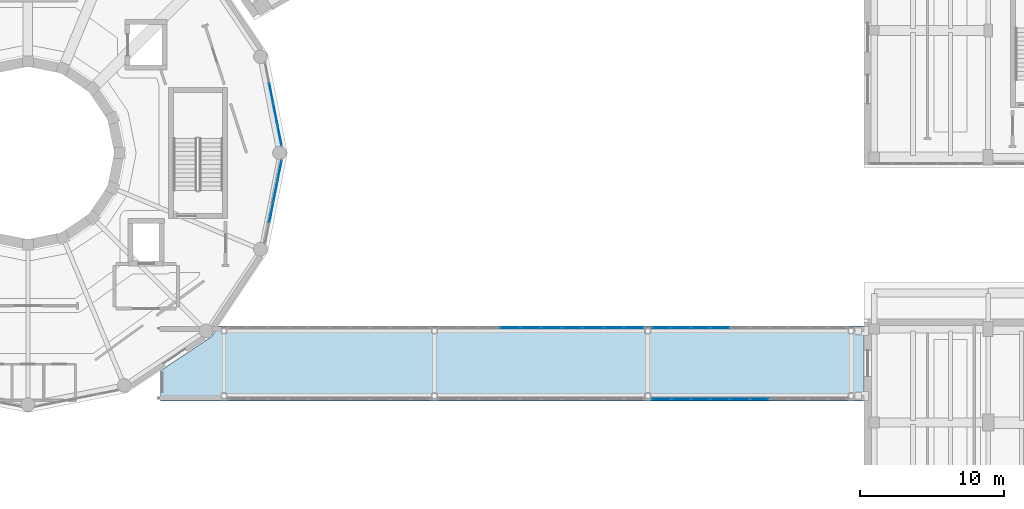
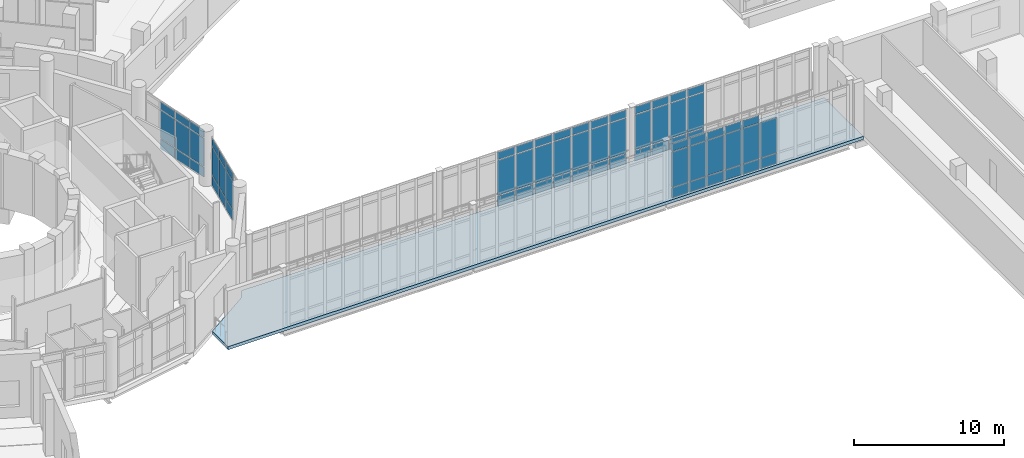
# One storey, part 50 of 89: 68 plates, 1 slab, 5 elements without a shape of their own.
"""IFC4 building model written with IfcOpenShell, lengths in metres."""

from ifc_helpers import new_model, si_unit, direction, frame, origin, origin_2d, place, context, subcontext, project, spatial, polyline, rectangle, outline, extrude, material, layer, layer_set, type_object, element, aggregate, save


model = new_model("IFC4")

# Units and contexts
model_context = context("Model", 3, precision=1e-05, world=origin(), true_north=direction((0.0, 1.0)))
body_context = subcontext(model_context, "Body", "Model", "MODEL_VIEW")
ifc_project = project(units=[si_unit("LENGTHUNIT", "METRE"), si_unit("AREAUNIT", "SQUARE_METRE"), si_unit("VOLUMEUNIT", "CUBIC_METRE"), si_unit("PLANEANGLEUNIT", "RADIAN"), si_unit("MASSUNIT", "GRAM", prefix="KILO")], contexts=[model_context])

# Site, building, storey
site_placement = place(None, origin())
site = spatial("IfcSite", under=ifc_project, at=site_placement, CompositionType="ELEMENT")
building_placement = place(site_placement, origin())
building = spatial("IfcBuilding", under=site, at=building_placement, Name="Soyqirgoq Riverine Aquarium", CompositionType="ELEMENT")
storey_placement = place(building_placement, frame((0.0, 0.0, 5.39990234375)))
storey = spatial("IfcBuildingStorey", under=building, at=storey_placement, Name="L02", CompositionType="ELEMENT", Elevation=5.39990234375)

# Curtain wall, plates
ifc_material_1 = material(Name="Anodised aluminium thermally broken triple low-E glazing", Category="aluminium")
curtain_wall_type_1 = type_object("IfcCurtainWallType", Name="CW_DrumGallery_Unitised", PredefinedType="NOTDEFINED", material=ifc_material_1)
curtain_wall_1_placement = place(storey_placement, origin())
curtain_wall_1 = element("IfcCurtainWall", 1, at=curtain_wall_1_placement, inside=storey, type_object=curtain_wall_type_1, Name="V1 L02 Curtain Wall 002", PredefinedType="NOTDEFINED")
ifc_material_2 = material(Name="Triple insulated laminated low-E glass", Category="glass")
ifc_layer_1 = layer(ifc_material_2, 0.0458984375)
ifc_layer_set_1 = layer_set([ifc_layer_1], Name="Triple insulated laminated low-E glass")
plate_type = type_object("IfcPlateType", Name="CWGlazedPanel_46", PredefinedType="CURTAIN_PANEL", material=ifc_layer_set_1)
plate_1_placement = place(storey_placement, frame((73.45849609375, 58.21435546875, 0.074951171875), z_axis=(0.0, 0.0, 1.0), x_axis=(-0.195088165618, 0.980785709335, 0.0)))
plate_1 = element("IfcPlate", 2, at=plate_1_placement, type_object=plate_type, Name="CW-01 panel 1.1", PredefinedType="CURTAIN_PANEL", context=body_context, shape_type="SweptSolid", body=[
    extrude(rectangle(XDim=1.389892578125, YDim=0.0458984375, at=origin_2d()), origin(), (0.0, 0.0, 1.0), 0.78759765625),
])
plate_2_placement = place(storey_placement, frame((73.45849609375, 58.21435546875, 0.937744140625), z_axis=(0.0, 0.0, 1.0), x_axis=(-0.195088165618, 0.980785709335, 0.0)))
plate_2 = element("IfcPlate", 3, at=plate_2_placement, type_object=plate_type, Name="CW-01 panel 1.2", PredefinedType="CURTAIN_PANEL", context=body_context, shape_type="SweptSolid", body=[
    extrude(rectangle(XDim=1.389892578125, YDim=0.0458984375, at=origin_2d()), origin(), (0.0, 0.0, 1.0), 2.27490234375),
])
plate_3_placement = place(storey_placement, frame((73.45849609375, 58.21435546875, 3.28759765625), z_axis=(0.0, 0.0, 1.0), x_axis=(-0.195088165618, 0.980785709335, 0.0)))
plate_3 = element("IfcPlate", 4, at=plate_3_placement, type_object=plate_type, Name="CW-01 panel 1.3", PredefinedType="CURTAIN_PANEL", context=body_context, shape_type="SweptSolid", body=[
    extrude(rectangle(XDim=1.389892578125, YDim=0.0458984375, at=origin_2d()), origin(), (0.0, 0.0, 1.0), 0.58740234375),
])
plate_4_placement = place(storey_placement, frame((73.17138671875, 59.6572265625, 0.074951171875), z_axis=(0.0, 0.0, 1.0), x_axis=(-0.195088165618, 0.980785709335, 0.0)))
plate_4 = element("IfcPlate", 5, at=plate_4_placement, type_object=plate_type, Name="CW-01 panel 2.1", PredefinedType="CURTAIN_PANEL", context=body_context, shape_type="SweptSolid", body=[
    extrude(rectangle(XDim=1.42236328125, YDim=0.0458984375, at=origin_2d()), origin(), (0.0, 0.0, 1.0), 0.78759765625),
])
plate_5_placement = place(storey_placement, frame((73.17138671875, 59.6572265625, 0.937744140625), z_axis=(0.0, 0.0, 1.0), x_axis=(-0.195088165618, 0.980785709335, 0.0)))
plate_5 = element("IfcPlate", 6, at=plate_5_placement, type_object=plate_type, Name="CW-01 panel 2.2", PredefinedType="CURTAIN_PANEL", context=body_context, shape_type="SweptSolid", body=[
    extrude(rectangle(XDim=1.42236328125, YDim=0.0458984375, at=origin_2d()), origin(), (0.0, 0.0, 1.0), 2.27490234375),
])
plate_6_placement = place(storey_placement, frame((73.17138671875, 59.6572265625, 3.28759765625), z_axis=(0.0, 0.0, 1.0), x_axis=(-0.195088165618, 0.980785709335, 0.0)))
plate_6 = element("IfcPlate", 7, at=plate_6_placement, type_object=plate_type, Name="CW-01 panel 2.3", PredefinedType="CURTAIN_PANEL", context=body_context, shape_type="SweptSolid", body=[
    extrude(rectangle(XDim=1.42236328125, YDim=0.0458984375, at=origin_2d()), origin(), (0.0, 0.0, 1.0), 0.58740234375),
])
plate_7_placement = place(storey_placement, frame((72.88134765625, 61.1162109375, 0.074951171875), z_axis=(0.0, 0.0, 1.0), x_axis=(-0.195088165618, 0.980785709335, 0.0)))
plate_7 = element("IfcPlate", 8, at=plate_7_placement, type_object=plate_type, Name="CW-01 panel 3.1", PredefinedType="CURTAIN_PANEL", context=body_context, shape_type="SweptSolid", body=[
    extrude(rectangle(XDim=1.42236328125, YDim=0.0458984375, at=origin_2d()), origin(), (0.0, 0.0, 1.0), 0.78759765625),
])
plate_8_placement = place(storey_placement, frame((72.88134765625, 61.1162109375, 0.937744140625), z_axis=(0.0, 0.0, 1.0), x_axis=(-0.195088165618, 0.980785709335, 0.0)))
plate_8 = element("IfcPlate", 9, at=plate_8_placement, type_object=plate_type, Name="CW-01 panel 3.2", PredefinedType="CURTAIN_PANEL", context=body_context, shape_type="SweptSolid", body=[
    extrude(rectangle(XDim=1.42236328125, YDim=0.0458984375, at=origin_2d()), origin(), (0.0, 0.0, 1.0), 2.27490234375),
])
plate_9_placement = place(storey_placement, frame((72.88134765625, 61.1162109375, 3.28759765625), z_axis=(0.0, 0.0, 1.0), x_axis=(-0.195088165618, 0.980785709335, 0.0)))
plate_9 = element("IfcPlate", 10, at=plate_9_placement, type_object=plate_type, Name="CW-01 panel 3.3", PredefinedType="CURTAIN_PANEL", context=body_context, shape_type="SweptSolid", body=[
    extrude(rectangle(XDim=1.42236328125, YDim=0.0458984375, at=origin_2d()), origin(), (0.0, 0.0, 1.0), 0.58740234375),
])
aggregate(curtain_wall_1, [plate_1, plate_2, plate_3, plate_4, plate_5, plate_6, plate_7, plate_8, plate_9])

curtain_wall_2_placement = place(storey_placement, origin())
curtain_wall_2 = element("IfcCurtainWall", 11, at=curtain_wall_2_placement, inside=storey, type_object=curtain_wall_type_1, Name="V1 L02 Curtain Wall 073", PredefinedType="NOTDEFINED")
plate_10_placement = place(storey_placement, frame((72.88134765625, 52.8837890625, 0.074951171875), z_axis=(0.0, 0.0, 1.0), x_axis=(0.195088165618, 0.980785709335, 0.0)))
plate_10 = element("IfcPlate", 12, at=plate_10_placement, type_object=plate_type, Name="CW-01 panel 2.1", PredefinedType="CURTAIN_PANEL", context=body_context, shape_type="SweptSolid", body=[
    extrude(rectangle(XDim=1.42236328125, YDim=0.0458984375, at=origin_2d()), origin(), (0.0, 0.0, 1.0), 0.78759765625),
])
plate_11_placement = place(storey_placement, frame((72.88134765625, 52.8837890625, 0.937744140625), z_axis=(0.0, 0.0, 1.0), x_axis=(0.195088165618, 0.980785709335, 0.0)))
plate_11 = element("IfcPlate", 13, at=plate_11_placement, type_object=plate_type, Name="CW-01 panel 2.2", PredefinedType="CURTAIN_PANEL", context=body_context, shape_type="SweptSolid", body=[
    extrude(rectangle(XDim=1.42236328125, YDim=0.0458984375, at=origin_2d()), origin(), (0.0, 0.0, 1.0), 2.27490234375),
])
plate_12_placement = place(storey_placement, frame((72.88134765625, 52.8837890625, 3.28759765625), z_axis=(0.0, 0.0, 1.0), x_axis=(0.195088165618, 0.980785709335, 0.0)))
plate_12 = element("IfcPlate", 14, at=plate_12_placement, type_object=plate_type, Name="CW-01 panel 2.3", PredefinedType="CURTAIN_PANEL", context=body_context, shape_type="SweptSolid", body=[
    extrude(rectangle(XDim=1.42236328125, YDim=0.0458984375, at=origin_2d()), origin(), (0.0, 0.0, 1.0), 0.58740234375),
])
plate_13_placement = place(storey_placement, frame((73.17138671875, 54.3427734375, 0.074951171875), z_axis=(0.0, 0.0, 1.0), x_axis=(0.195088165618, 0.980785709335, 0.0)))
plate_13 = element("IfcPlate", 15, at=plate_13_placement, type_object=plate_type, Name="CW-01 panel 3.1", PredefinedType="CURTAIN_PANEL", context=body_context, shape_type="SweptSolid", body=[
    extrude(rectangle(XDim=1.42236328125, YDim=0.0458984375, at=origin_2d()), origin(), (0.0, 0.0, 1.0), 0.78759765625),
])
plate_14_placement = place(storey_placement, frame((73.17138671875, 54.3427734375, 0.937744140625), z_axis=(0.0, 0.0, 1.0), x_axis=(0.195088165618, 0.980785709335, 0.0)))
plate_14 = element("IfcPlate", 16, at=plate_14_placement, type_object=plate_type, Name="CW-01 panel 3.2", PredefinedType="CURTAIN_PANEL", context=body_context, shape_type="SweptSolid", body=[
    extrude(rectangle(XDim=1.42236328125, YDim=0.0458984375, at=origin_2d()), origin(), (0.0, 0.0, 1.0), 2.27490234375),
])
plate_15_placement = place(storey_placement, frame((73.17138671875, 54.3427734375, 3.28759765625), z_axis=(0.0, 0.0, 1.0), x_axis=(0.195088165618, 0.980785709335, 0.0)))
plate_15 = element("IfcPlate", 17, at=plate_15_placement, type_object=plate_type, Name="CW-01 panel 3.3", PredefinedType="CURTAIN_PANEL", context=body_context, shape_type="SweptSolid", body=[
    extrude(rectangle(XDim=1.42236328125, YDim=0.0458984375, at=origin_2d()), origin(), (0.0, 0.0, 1.0), 0.58740234375),
])
plate_16_placement = place(storey_placement, frame((73.45849609375, 55.78564453125, 0.074951171875), z_axis=(0.0, 0.0, 1.0), x_axis=(0.195088165618, 0.980785709335, 0.0)))
plate_16 = element("IfcPlate", 18, at=plate_16_placement, type_object=plate_type, Name="CW-01 panel 4.1", PredefinedType="CURTAIN_PANEL", context=body_context, shape_type="SweptSolid", body=[
    extrude(rectangle(XDim=1.389892578125, YDim=0.0458984375, at=origin_2d()), origin(), (0.0, 0.0, 1.0), 0.78759765625),
])
plate_17_placement = place(storey_placement, frame((73.45849609375, 55.78564453125, 0.937744140625), z_axis=(0.0, 0.0, 1.0), x_axis=(0.195088165618, 0.980785709335, 0.0)))
plate_17 = element("IfcPlate", 19, at=plate_17_placement, type_object=plate_type, Name="CW-01 panel 4.2", PredefinedType="CURTAIN_PANEL", context=body_context, shape_type="SweptSolid", body=[
    extrude(rectangle(XDim=1.389892578125, YDim=0.0458984375, at=origin_2d()), origin(), (0.0, 0.0, 1.0), 2.27490234375),
])
plate_18_placement = place(storey_placement, frame((73.45849609375, 55.78564453125, 3.28759765625), z_axis=(0.0, 0.0, 1.0), x_axis=(0.195088165618, 0.980785709335, 0.0)))
plate_18 = element("IfcPlate", 20, at=plate_18_placement, type_object=plate_type, Name="CW-01 panel 4.3", PredefinedType="CURTAIN_PANEL", context=body_context, shape_type="SweptSolid", body=[
    extrude(rectangle(XDim=1.389892578125, YDim=0.0458984375, at=origin_2d()), origin(), (0.0, 0.0, 1.0), 0.58740234375),
])
aggregate(curtain_wall_2, [plate_10, plate_11, plate_12, plate_13, plate_14, plate_15, plate_16, plate_17, plate_18])

ifc_material_3 = material(Name="Laminated solar-control bridge curtain wall", Category="aluminium")
curtain_wall_type_2 = type_object("IfcCurtainWallType", Name="CW_Bridge_Concourse", PredefinedType="NOTDEFINED", material=ifc_material_3)
curtain_wall_3_placement = place(storey_placement, origin())
curtain_wall_3 = element("IfcCurtainWall", 21, at=curtain_wall_3_placement, inside=storey, type_object=curtain_wall_type_2, Name="BR-1 L02 Curtain Wall 137", PredefinedType="NOTDEFINED")
plate_19_placement = place(storey_placement, frame((99.94091796875, 39.919921875, 0.074951171875), z_axis=(0.0, 0.0, 1.0), x_axis=(1.0, 0.0, 0.0)))
plate_19 = element("IfcPlate", 22, at=plate_19_placement, type_object=plate_type, Name="CW-06 panel 1.1", PredefinedType="CURTAIN_PANEL", context=body_context, shape_type="SweptSolid", body=[
    extrude(rectangle(XDim=1.241943359375, YDim=0.0458984375, at=origin_2d()), origin(), (0.0, 0.0, 1.0), 0.78759765625),
])
plate_20_placement = place(storey_placement, frame((99.94091796875, 39.919921875, 0.9375), z_axis=(0.0, 0.0, 1.0), x_axis=(1.0, 0.0, 0.0)))
plate_20 = element("IfcPlate", 23, at=plate_20_placement, type_object=plate_type, Name="CW-06 panel 1.2", PredefinedType="CURTAIN_PANEL", context=body_context, shape_type="SweptSolid", body=[
    extrude(rectangle(XDim=1.241943359375, YDim=0.0458984375, at=origin_2d()), origin(), (0.0, 0.0, 1.0), 2.824951171875),
])
plate_21_placement = place(storey_placement, frame((99.94091796875, 39.919921875, 3.837646484375), z_axis=(0.0, 0.0, 1.0), x_axis=(1.0, 0.0, 0.0)))
plate_21 = element("IfcPlate", 24, at=plate_21_placement, type_object=plate_type, Name="CW-06 panel 1.3", PredefinedType="CURTAIN_PANEL", context=body_context, shape_type="SweptSolid", body=[
    extrude(rectangle(XDim=1.241943359375, YDim=0.0458984375, at=origin_2d()), origin(), (0.0, 0.0, 1.0), 0.58740234375),
])
plate_22_placement = place(storey_placement, frame((101.282958984375, 39.919921875, 0.074951171875), z_axis=(0.0, 0.0, 1.0), x_axis=(1.0, 0.0, 0.0)))
plate_22 = element("IfcPlate", 25, at=plate_22_placement, type_object=plate_type, Name="CW-06 panel 2.1", PredefinedType="CURTAIN_PANEL", context=body_context, shape_type="SweptSolid", body=[
    extrude(rectangle(XDim=1.281982421875, YDim=0.0458984375, at=origin_2d()), origin(), (0.0, 0.0, 1.0), 0.78759765625),
])
plate_23_placement = place(storey_placement, frame((101.282958984375, 39.919921875, 0.9375), z_axis=(0.0, 0.0, 1.0), x_axis=(1.0, 0.0, 0.0)))
plate_23 = element("IfcPlate", 26, at=plate_23_placement, type_object=plate_type, Name="CW-06 panel 2.2", PredefinedType="CURTAIN_PANEL", context=body_context, shape_type="SweptSolid", body=[
    extrude(rectangle(XDim=1.281982421875, YDim=0.0458984375, at=origin_2d()), origin(), (0.0, 0.0, 1.0), 2.824951171875),
])
plate_24_placement = place(storey_placement, frame((101.282958984375, 39.919921875, 3.837646484375), z_axis=(0.0, 0.0, 1.0), x_axis=(1.0, 0.0, 0.0)))
plate_24 = element("IfcPlate", 27, at=plate_24_placement, type_object=plate_type, Name="CW-06 panel 2.3", PredefinedType="CURTAIN_PANEL", context=body_context, shape_type="SweptSolid", body=[
    extrude(rectangle(XDim=1.281982421875, YDim=0.0458984375, at=origin_2d()), origin(), (0.0, 0.0, 1.0), 0.58740234375),
])
plate_25_placement = place(storey_placement, frame((102.64501953125, 39.919921875, 0.074951171875), z_axis=(0.0, 0.0, 1.0), x_axis=(1.0, 0.0, 0.0)))
plate_25 = element("IfcPlate", 28, at=plate_25_placement, type_object=plate_type, Name="CW-06 panel 3.1", PredefinedType="CURTAIN_PANEL", context=body_context, shape_type="SweptSolid", body=[
    extrude(rectangle(XDim=1.281982421875, YDim=0.0458984375, at=origin_2d()), origin(), (0.0, 0.0, 1.0), 0.78759765625),
])
plate_26_placement = place(storey_placement, frame((102.64501953125, 39.919921875, 0.9375), z_axis=(0.0, 0.0, 1.0), x_axis=(1.0, 0.0, 0.0)))
plate_26 = element("IfcPlate", 29, at=plate_26_placement, type_object=plate_type, Name="CW-06 panel 3.2", PredefinedType="CURTAIN_PANEL", context=body_context, shape_type="SweptSolid", body=[
    extrude(rectangle(XDim=1.281982421875, YDim=0.0458984375, at=origin_2d()), origin(), (0.0, 0.0, 1.0), 2.824951171875),
])
plate_27_placement = place(storey_placement, frame((102.64501953125, 39.919921875, 3.837646484375), z_axis=(0.0, 0.0, 1.0), x_axis=(1.0, 0.0, 0.0)))
plate_27 = element("IfcPlate", 30, at=plate_27_placement, type_object=plate_type, Name="CW-06 panel 3.3", PredefinedType="CURTAIN_PANEL", context=body_context, shape_type="SweptSolid", body=[
    extrude(rectangle(XDim=1.281982421875, YDim=0.0458984375, at=origin_2d()), origin(), (0.0, 0.0, 1.0), 0.58740234375),
])
plate_28_placement = place(storey_placement, frame((104.007080078125, 39.919921875, 0.074951171875), z_axis=(0.0, 0.0, 1.0), x_axis=(1.0, 0.0, 0.0)))
plate_28 = element("IfcPlate", 31, at=plate_28_placement, type_object=plate_type, Name="CW-06 panel 4.1", PredefinedType="CURTAIN_PANEL", context=body_context, shape_type="SweptSolid", body=[
    extrude(rectangle(XDim=1.281982421875, YDim=0.0458984375, at=origin_2d()), origin(), (0.0, 0.0, 1.0), 0.78759765625),
])
plate_29_placement = place(storey_placement, frame((104.007080078125, 39.919921875, 0.9375), z_axis=(0.0, 0.0, 1.0), x_axis=(1.0, 0.0, 0.0)))
plate_29 = element("IfcPlate", 32, at=plate_29_placement, type_object=plate_type, Name="CW-06 panel 4.2", PredefinedType="CURTAIN_PANEL", context=body_context, shape_type="SweptSolid", body=[
    extrude(rectangle(XDim=1.281982421875, YDim=0.0458984375, at=origin_2d()), origin(), (0.0, 0.0, 1.0), 2.824951171875),
])
plate_30_placement = place(storey_placement, frame((104.007080078125, 39.919921875, 3.837646484375), z_axis=(0.0, 0.0, 1.0), x_axis=(1.0, 0.0, 0.0)))
plate_30 = element("IfcPlate", 33, at=plate_30_placement, type_object=plate_type, Name="CW-06 panel 4.3", PredefinedType="CURTAIN_PANEL", context=body_context, shape_type="SweptSolid", body=[
    extrude(rectangle(XDim=1.281982421875, YDim=0.0458984375, at=origin_2d()), origin(), (0.0, 0.0, 1.0), 0.58740234375),
])
plate_31_placement = place(storey_placement, frame((105.368896484375, 39.919921875, 0.074951171875), z_axis=(0.0, 0.0, 1.0), x_axis=(1.0, 0.0, 0.0)))
plate_31 = element("IfcPlate", 34, at=plate_31_placement, type_object=plate_type, Name="CW-06 panel 5.1", PredefinedType="CURTAIN_PANEL", context=body_context, shape_type="SweptSolid", body=[
    extrude(rectangle(XDim=1.281982421875, YDim=0.0458984375, at=origin_2d()), origin(), (0.0, 0.0, 1.0), 0.78759765625),
])
plate_32_placement = place(storey_placement, frame((105.368896484375, 39.919921875, 0.9375), z_axis=(0.0, 0.0, 1.0), x_axis=(1.0, 0.0, 0.0)))
plate_32 = element("IfcPlate", 35, at=plate_32_placement, type_object=plate_type, Name="CW-06 panel 5.2", PredefinedType="CURTAIN_PANEL", context=body_context, shape_type="SweptSolid", body=[
    extrude(rectangle(XDim=1.281982421875, YDim=0.0458984375, at=origin_2d()), origin(), (0.0, 0.0, 1.0), 2.824951171875),
])
plate_33_placement = place(storey_placement, frame((105.368896484375, 39.919921875, 3.837646484375), z_axis=(0.0, 0.0, 1.0), x_axis=(1.0, 0.0, 0.0)))
plate_33 = element("IfcPlate", 36, at=plate_33_placement, type_object=plate_type, Name="CW-06 panel 5.3", PredefinedType="CURTAIN_PANEL", context=body_context, shape_type="SweptSolid", body=[
    extrude(rectangle(XDim=1.281982421875, YDim=0.0458984375, at=origin_2d()), origin(), (0.0, 0.0, 1.0), 0.58740234375),
])
plate_34_placement = place(storey_placement, frame((106.73095703125, 39.919921875, 0.074951171875), z_axis=(0.0, 0.0, 1.0), x_axis=(1.0, 0.0, 0.0)))
plate_34 = element("IfcPlate", 37, at=plate_34_placement, type_object=plate_type, Name="CW-06 panel 6.1", PredefinedType="CURTAIN_PANEL", context=body_context, shape_type="SweptSolid", body=[
    extrude(rectangle(XDim=1.281982421875, YDim=0.0458984375, at=origin_2d()), origin(), (0.0, 0.0, 1.0), 0.78759765625),
])
plate_35_placement = place(storey_placement, frame((106.73095703125, 39.919921875, 0.9375), z_axis=(0.0, 0.0, 1.0), x_axis=(1.0, 0.0, 0.0)))
plate_35 = element("IfcPlate", 38, at=plate_35_placement, type_object=plate_type, Name="CW-06 panel 6.2", PredefinedType="CURTAIN_PANEL", context=body_context, shape_type="SweptSolid", body=[
    extrude(rectangle(XDim=1.281982421875, YDim=0.0458984375, at=origin_2d()), origin(), (0.0, 0.0, 1.0), 2.824951171875),
])
aggregate(curtain_wall_3, [plate_19, plate_20, plate_21, plate_22, plate_23, plate_24, plate_25, plate_26, plate_27, plate_28, plate_29, plate_30, plate_31, plate_32, plate_33, plate_34, plate_35])

curtain_wall_4_placement = place(storey_placement, origin())
curtain_wall_4 = element("IfcCurtainWall", 39, at=curtain_wall_4_placement, inside=storey, type_object=curtain_wall_type_2, Name="BR-1 L02 Curtain Wall 139", PredefinedType="NOTDEFINED")
plate_36_placement = place(storey_placement, frame((89.451904296875, 44.8798828125, 0.074951171875), z_axis=(0.0, 0.0, 1.0), x_axis=(1.0, 0.0, 0.0)))
plate_36 = element("IfcPlate", 40, at=plate_36_placement, type_object=plate_type, Name="CW-06 panel 4.1", PredefinedType="CURTAIN_PANEL", context=body_context, shape_type="SweptSolid", body=[
    extrude(rectangle(XDim=1.35205078125, YDim=0.0458984375, at=origin_2d()), origin(), (0.0, 0.0, 1.0), 0.78759765625),
])
plate_37_placement = place(storey_placement, frame((89.451904296875, 44.8798828125, 0.9375), z_axis=(0.0, 0.0, 1.0), x_axis=(1.0, 0.0, 0.0)))
plate_37 = element("IfcPlate", 41, at=plate_37_placement, type_object=plate_type, Name="CW-06 panel 4.2", PredefinedType="CURTAIN_PANEL", context=body_context, shape_type="SweptSolid", body=[
    extrude(rectangle(XDim=1.35205078125, YDim=0.0458984375, at=origin_2d()), origin(), (0.0, 0.0, 1.0), 2.824951171875),
])
plate_38_placement = place(storey_placement, frame((89.451904296875, 44.8798828125, 3.837646484375), z_axis=(0.0, 0.0, 1.0), x_axis=(1.0, 0.0, 0.0)))
plate_38 = element("IfcPlate", 42, at=plate_38_placement, type_object=plate_type, Name="CW-06 panel 4.3", PredefinedType="CURTAIN_PANEL", context=body_context, shape_type="SweptSolid", body=[
    extrude(rectangle(XDim=1.35205078125, YDim=0.0458984375, at=origin_2d()), origin(), (0.0, 0.0, 1.0), 0.58740234375),
])
plate_39_placement = place(storey_placement, frame((90.884033203125, 44.8798828125, 0.074951171875), z_axis=(0.0, 0.0, 1.0), x_axis=(1.0, 0.0, 0.0)))
plate_39 = element("IfcPlate", 43, at=plate_39_placement, type_object=plate_type, Name="CW-06 panel 5.1", PredefinedType="CURTAIN_PANEL", context=body_context, shape_type="SweptSolid", body=[
    extrude(rectangle(XDim=1.35205078125, YDim=0.0458984375, at=origin_2d()), origin(), (0.0, 0.0, 1.0), 0.78759765625),
])
plate_40_placement = place(storey_placement, frame((90.884033203125, 44.8798828125, 0.9375), z_axis=(0.0, 0.0, 1.0), x_axis=(1.0, 0.0, 0.0)))
plate_40 = element("IfcPlate", 44, at=plate_40_placement, type_object=plate_type, Name="CW-06 panel 5.2", PredefinedType="CURTAIN_PANEL", context=body_context, shape_type="SweptSolid", body=[
    extrude(rectangle(XDim=1.35205078125, YDim=0.0458984375, at=origin_2d()), origin(), (0.0, 0.0, 1.0), 2.824951171875),
])
plate_41_placement = place(storey_placement, frame((90.884033203125, 44.8798828125, 3.837646484375), z_axis=(0.0, 0.0, 1.0), x_axis=(1.0, 0.0, 0.0)))
plate_41 = element("IfcPlate", 45, at=plate_41_placement, type_object=plate_type, Name="CW-06 panel 5.3", PredefinedType="CURTAIN_PANEL", context=body_context, shape_type="SweptSolid", body=[
    extrude(rectangle(XDim=1.35205078125, YDim=0.0458984375, at=origin_2d()), origin(), (0.0, 0.0, 1.0), 0.58740234375),
])
plate_42_placement = place(storey_placement, frame((92.31591796875, 44.8798828125, 0.074951171875), z_axis=(0.0, 0.0, 1.0), x_axis=(1.0, 0.0, 0.0)))
plate_42 = element("IfcPlate", 46, at=plate_42_placement, type_object=plate_type, Name="CW-06 panel 6.1", PredefinedType="CURTAIN_PANEL", context=body_context, shape_type="SweptSolid", body=[
    extrude(rectangle(XDim=1.35205078125, YDim=0.0458984375, at=origin_2d()), origin(), (0.0, 0.0, 1.0), 0.78759765625),
])
plate_43_placement = place(storey_placement, frame((92.31591796875, 44.8798828125, 0.9375), z_axis=(0.0, 0.0, 1.0), x_axis=(1.0, 0.0, 0.0)))
plate_43 = element("IfcPlate", 47, at=plate_43_placement, type_object=plate_type, Name="CW-06 panel 6.2", PredefinedType="CURTAIN_PANEL", context=body_context, shape_type="SweptSolid", body=[
    extrude(rectangle(XDim=1.35205078125, YDim=0.0458984375, at=origin_2d()), origin(), (0.0, 0.0, 1.0), 2.824951171875),
])
plate_44_placement = place(storey_placement, frame((92.31591796875, 44.8798828125, 3.837646484375), z_axis=(0.0, 0.0, 1.0), x_axis=(1.0, 0.0, 0.0)))
plate_44 = element("IfcPlate", 48, at=plate_44_placement, type_object=plate_type, Name="CW-06 panel 6.3", PredefinedType="CURTAIN_PANEL", context=body_context, shape_type="SweptSolid", body=[
    extrude(rectangle(XDim=1.35205078125, YDim=0.0458984375, at=origin_2d()), origin(), (0.0, 0.0, 1.0), 0.58740234375),
])
plate_45_placement = place(storey_placement, frame((93.748046875, 44.8798828125, 0.074951171875), z_axis=(0.0, 0.0, 1.0), x_axis=(1.0, 0.0, 0.0)))
plate_45 = element("IfcPlate", 49, at=plate_45_placement, type_object=plate_type, Name="CW-06 panel 7.1", PredefinedType="CURTAIN_PANEL", context=body_context, shape_type="SweptSolid", body=[
    extrude(rectangle(XDim=1.35205078125, YDim=0.0458984375, at=origin_2d()), origin(), (0.0, 0.0, 1.0), 0.78759765625),
])
plate_46_placement = place(storey_placement, frame((93.748046875, 44.8798828125, 0.9375), z_axis=(0.0, 0.0, 1.0), x_axis=(1.0, 0.0, 0.0)))
plate_46 = element("IfcPlate", 50, at=plate_46_placement, type_object=plate_type, Name="CW-06 panel 7.2", PredefinedType="CURTAIN_PANEL", context=body_context, shape_type="SweptSolid", body=[
    extrude(rectangle(XDim=1.35205078125, YDim=0.0458984375, at=origin_2d()), origin(), (0.0, 0.0, 1.0), 2.824951171875),
])
plate_47_placement = place(storey_placement, frame((93.748046875, 44.8798828125, 3.837646484375), z_axis=(0.0, 0.0, 1.0), x_axis=(1.0, 0.0, 0.0)))
plate_47 = element("IfcPlate", 51, at=plate_47_placement, type_object=plate_type, Name="CW-06 panel 7.3", PredefinedType="CURTAIN_PANEL", context=body_context, shape_type="SweptSolid", body=[
    extrude(rectangle(XDim=1.35205078125, YDim=0.0458984375, at=origin_2d()), origin(), (0.0, 0.0, 1.0), 0.58740234375),
])
plate_48_placement = place(storey_placement, frame((95.179931640625, 44.8798828125, 0.074951171875), z_axis=(0.0, 0.0, 1.0), x_axis=(1.0, 0.0, 0.0)))
plate_48 = element("IfcPlate", 52, at=plate_48_placement, type_object=plate_type, Name="CW-06 panel 8.1", PredefinedType="CURTAIN_PANEL", context=body_context, shape_type="SweptSolid", body=[
    extrude(rectangle(XDim=1.35205078125, YDim=0.0458984375, at=origin_2d()), origin(), (0.0, 0.0, 1.0), 0.78759765625),
])
plate_49_placement = place(storey_placement, frame((95.179931640625, 44.8798828125, 0.9375), z_axis=(0.0, 0.0, 1.0), x_axis=(1.0, 0.0, 0.0)))
plate_49 = element("IfcPlate", 53, at=plate_49_placement, type_object=plate_type, Name="CW-06 panel 8.2", PredefinedType="CURTAIN_PANEL", context=body_context, shape_type="SweptSolid", body=[
    extrude(rectangle(XDim=1.35205078125, YDim=0.0458984375, at=origin_2d()), origin(), (0.0, 0.0, 1.0), 2.824951171875),
])
plate_50_placement = place(storey_placement, frame((95.179931640625, 44.8798828125, 3.837646484375), z_axis=(0.0, 0.0, 1.0), x_axis=(1.0, 0.0, 0.0)))
plate_50 = element("IfcPlate", 54, at=plate_50_placement, type_object=plate_type, Name="CW-06 panel 8.3", PredefinedType="CURTAIN_PANEL", context=body_context, shape_type="SweptSolid", body=[
    extrude(rectangle(XDim=1.35205078125, YDim=0.0458984375, at=origin_2d()), origin(), (0.0, 0.0, 1.0), 0.58740234375),
])
plate_51_placement = place(storey_placement, frame((96.612060546875, 44.8798828125, 0.074951171875), z_axis=(0.0, 0.0, 1.0), x_axis=(1.0, 0.0, 0.0)))
plate_51 = element("IfcPlate", 55, at=plate_51_placement, type_object=plate_type, Name="CW-06 panel 9.1", PredefinedType="CURTAIN_PANEL", context=body_context, shape_type="SweptSolid", body=[
    extrude(rectangle(XDim=1.35205078125, YDim=0.0458984375, at=origin_2d()), origin(), (0.0, 0.0, 1.0), 0.78759765625),
])
plate_52_placement = place(storey_placement, frame((96.612060546875, 44.8798828125, 0.9375), z_axis=(0.0, 0.0, 1.0), x_axis=(1.0, 0.0, 0.0)))
plate_52 = element("IfcPlate", 56, at=plate_52_placement, type_object=plate_type, Name="CW-06 panel 9.2", PredefinedType="CURTAIN_PANEL", context=body_context, shape_type="SweptSolid", body=[
    extrude(rectangle(XDim=1.35205078125, YDim=0.0458984375, at=origin_2d()), origin(), (0.0, 0.0, 1.0), 2.824951171875),
])
plate_53_placement = place(storey_placement, frame((96.612060546875, 44.8798828125, 3.837646484375), z_axis=(0.0, 0.0, 1.0), x_axis=(1.0, 0.0, 0.0)))
plate_53 = element("IfcPlate", 57, at=plate_53_placement, type_object=plate_type, Name="CW-06 panel 9.3", PredefinedType="CURTAIN_PANEL", context=body_context, shape_type="SweptSolid", body=[
    extrude(rectangle(XDim=1.35205078125, YDim=0.0458984375, at=origin_2d()), origin(), (0.0, 0.0, 1.0), 0.58740234375),
])
plate_54_placement = place(storey_placement, frame((98.02392578125, 44.8798828125, 0.074951171875), z_axis=(0.0, 0.0, 1.0), x_axis=(1.0, 0.0, 0.0)))
plate_54 = element("IfcPlate", 58, at=plate_54_placement, type_object=plate_type, Name="CW-06 panel 10.1", PredefinedType="CURTAIN_PANEL", context=body_context, shape_type="SweptSolid", body=[
    extrude(rectangle(XDim=1.31201171875, YDim=0.0458984375, at=origin_2d()), origin(), (0.0, 0.0, 1.0), 0.78759765625),
])
plate_55_placement = place(storey_placement, frame((98.02392578125, 44.8798828125, 0.9375), z_axis=(0.0, 0.0, 1.0), x_axis=(1.0, 0.0, 0.0)))
plate_55 = element("IfcPlate", 59, at=plate_55_placement, type_object=plate_type, Name="CW-06 panel 10.2", PredefinedType="CURTAIN_PANEL", context=body_context, shape_type="SweptSolid", body=[
    extrude(rectangle(XDim=1.31201171875, YDim=0.0458984375, at=origin_2d()), origin(), (0.0, 0.0, 1.0), 2.824951171875),
])
plate_56_placement = place(storey_placement, frame((98.02392578125, 44.8798828125, 3.837646484375), z_axis=(0.0, 0.0, 1.0), x_axis=(1.0, 0.0, 0.0)))
plate_56 = element("IfcPlate", 60, at=plate_56_placement, type_object=plate_type, Name="CW-06 panel 10.3", PredefinedType="CURTAIN_PANEL", context=body_context, shape_type="SweptSolid", body=[
    extrude(rectangle(XDim=1.31201171875, YDim=0.0458984375, at=origin_2d()), origin(), (0.0, 0.0, 1.0), 0.58740234375),
])
aggregate(curtain_wall_4, [plate_36, plate_37, plate_38, plate_39, plate_40, plate_41, plate_42, plate_43, plate_44, plate_45, plate_46, plate_47, plate_48, plate_49, plate_50, plate_51, plate_52, plate_53, plate_54, plate_55, plate_56])

curtain_wall_5_placement = place(storey_placement, origin())
curtain_wall_5 = element("IfcCurtainWall", 61, at=curtain_wall_5_placement, inside=storey, type_object=curtain_wall_type_2, Name="BR-1 L02 Curtain Wall 140", PredefinedType="NOTDEFINED")
plate_57_placement = place(storey_placement, frame((99.94091796875, 44.8798828125, 0.074951171875), z_axis=(0.0, 0.0, 1.0), x_axis=(1.0, 0.0, 0.0)))
plate_57 = element("IfcPlate", 62, at=plate_57_placement, type_object=plate_type, Name="CW-06 panel 1.1", PredefinedType="CURTAIN_PANEL", context=body_context, shape_type="SweptSolid", body=[
    extrude(rectangle(XDim=1.241943359375, YDim=0.0458984375, at=origin_2d()), origin(), (0.0, 0.0, 1.0), 0.78759765625),
])
plate_58_placement = place(storey_placement, frame((99.94091796875, 44.8798828125, 0.9375), z_axis=(0.0, 0.0, 1.0), x_axis=(1.0, 0.0, 0.0)))
plate_58 = element("IfcPlate", 63, at=plate_58_placement, type_object=plate_type, Name="CW-06 panel 1.2", PredefinedType="CURTAIN_PANEL", context=body_context, shape_type="SweptSolid", body=[
    extrude(rectangle(XDim=1.241943359375, YDim=0.0458984375, at=origin_2d()), origin(), (0.0, 0.0, 1.0), 2.824951171875),
])
plate_59_placement = place(storey_placement, frame((99.94091796875, 44.8798828125, 3.837646484375), z_axis=(0.0, 0.0, 1.0), x_axis=(1.0, 0.0, 0.0)))
plate_59 = element("IfcPlate", 64, at=plate_59_placement, type_object=plate_type, Name="CW-06 panel 1.3", PredefinedType="CURTAIN_PANEL", context=body_context, shape_type="SweptSolid", body=[
    extrude(rectangle(XDim=1.241943359375, YDim=0.0458984375, at=origin_2d()), origin(), (0.0, 0.0, 1.0), 0.58740234375),
])
plate_60_placement = place(storey_placement, frame((101.282958984375, 44.8798828125, 0.074951171875), z_axis=(0.0, 0.0, 1.0), x_axis=(1.0, 0.0, 0.0)))
plate_60 = element("IfcPlate", 65, at=plate_60_placement, type_object=plate_type, Name="CW-06 panel 2.1", PredefinedType="CURTAIN_PANEL", context=body_context, shape_type="SweptSolid", body=[
    extrude(rectangle(XDim=1.281982421875, YDim=0.0458984375, at=origin_2d()), origin(), (0.0, 0.0, 1.0), 0.78759765625),
])
plate_61_placement = place(storey_placement, frame((101.282958984375, 44.8798828125, 0.9375), z_axis=(0.0, 0.0, 1.0), x_axis=(1.0, 0.0, 0.0)))
plate_61 = element("IfcPlate", 66, at=plate_61_placement, type_object=plate_type, Name="CW-06 panel 2.2", PredefinedType="CURTAIN_PANEL", context=body_context, shape_type="SweptSolid", body=[
    extrude(rectangle(XDim=1.281982421875, YDim=0.0458984375, at=origin_2d()), origin(), (0.0, 0.0, 1.0), 2.824951171875),
])
plate_62_placement = place(storey_placement, frame((101.282958984375, 44.8798828125, 3.837646484375), z_axis=(0.0, 0.0, 1.0), x_axis=(1.0, 0.0, 0.0)))
plate_62 = element("IfcPlate", 67, at=plate_62_placement, type_object=plate_type, Name="CW-06 panel 2.3", PredefinedType="CURTAIN_PANEL", context=body_context, shape_type="SweptSolid", body=[
    extrude(rectangle(XDim=1.281982421875, YDim=0.0458984375, at=origin_2d()), origin(), (0.0, 0.0, 1.0), 0.58740234375),
])
plate_63_placement = place(storey_placement, frame((102.64501953125, 44.8798828125, 0.074951171875), z_axis=(0.0, 0.0, 1.0), x_axis=(1.0, 0.0, 0.0)))
plate_63 = element("IfcPlate", 68, at=plate_63_placement, type_object=plate_type, Name="CW-06 panel 3.1", PredefinedType="CURTAIN_PANEL", context=body_context, shape_type="SweptSolid", body=[
    extrude(rectangle(XDim=1.281982421875, YDim=0.0458984375, at=origin_2d()), origin(), (0.0, 0.0, 1.0), 0.78759765625),
])
plate_64_placement = place(storey_placement, frame((102.64501953125, 44.8798828125, 0.9375), z_axis=(0.0, 0.0, 1.0), x_axis=(1.0, 0.0, 0.0)))
plate_64 = element("IfcPlate", 69, at=plate_64_placement, type_object=plate_type, Name="CW-06 panel 3.2", PredefinedType="CURTAIN_PANEL", context=body_context, shape_type="SweptSolid", body=[
    extrude(rectangle(XDim=1.281982421875, YDim=0.0458984375, at=origin_2d()), origin(), (0.0, 0.0, 1.0), 2.824951171875),
])
plate_65_placement = place(storey_placement, frame((102.64501953125, 44.8798828125, 3.837646484375), z_axis=(0.0, 0.0, 1.0), x_axis=(1.0, 0.0, 0.0)))
plate_65 = element("IfcPlate", 70, at=plate_65_placement, type_object=plate_type, Name="CW-06 panel 3.3", PredefinedType="CURTAIN_PANEL", context=body_context, shape_type="SweptSolid", body=[
    extrude(rectangle(XDim=1.281982421875, YDim=0.0458984375, at=origin_2d()), origin(), (0.0, 0.0, 1.0), 0.58740234375),
])
plate_66_placement = place(storey_placement, frame((104.007080078125, 44.8798828125, 0.074951171875), z_axis=(0.0, 0.0, 1.0), x_axis=(1.0, 0.0, 0.0)))
plate_66 = element("IfcPlate", 71, at=plate_66_placement, type_object=plate_type, Name="CW-06 panel 4.1", PredefinedType="CURTAIN_PANEL", context=body_context, shape_type="SweptSolid", body=[
    extrude(rectangle(XDim=1.281982421875, YDim=0.0458984375, at=origin_2d()), origin(), (0.0, 0.0, 1.0), 0.78759765625),
])
plate_67_placement = place(storey_placement, frame((104.007080078125, 44.8798828125, 0.9375), z_axis=(0.0, 0.0, 1.0), x_axis=(1.0, 0.0, 0.0)))
plate_67 = element("IfcPlate", 72, at=plate_67_placement, type_object=plate_type, Name="CW-06 panel 4.2", PredefinedType="CURTAIN_PANEL", context=body_context, shape_type="SweptSolid", body=[
    extrude(rectangle(XDim=1.281982421875, YDim=0.0458984375, at=origin_2d()), origin(), (0.0, 0.0, 1.0), 2.824951171875),
])
plate_68_placement = place(storey_placement, frame((104.007080078125, 44.8798828125, 3.837646484375), z_axis=(0.0, 0.0, 1.0), x_axis=(1.0, 0.0, 0.0)))
plate_68 = element("IfcPlate", 73, at=plate_68_placement, type_object=plate_type, Name="CW-06 panel 4.3", PredefinedType="CURTAIN_PANEL", context=body_context, shape_type="SweptSolid", body=[
    extrude(rectangle(XDim=1.281982421875, YDim=0.0458984375, at=origin_2d()), origin(), (0.0, 0.0, 1.0), 0.58740234375),
])
aggregate(curtain_wall_5, [plate_57, plate_58, plate_59, plate_60, plate_61, plate_62, plate_63, plate_64, plate_65, plate_66, plate_67, plate_68])

# Slab
ifc_material_4 = material(Name="Concrete C35/45", Category="concrete")
ifc_layer_2 = layer(ifc_material_4, 0.25)
ifc_layer_set_2 = layer_set([ifc_layer_2], Name="Concrete C35/45")
slab_type = type_object("IfcSlabType", Name="FloorSlab_250_C35", PredefinedType="FLOOR", material=ifc_layer_set_2)
slab_placement = place(storey_placement, frame((0.0, 0.0, -0.25)))
element("IfcSlab", 74, at=slab_placement, inside=storey, type_object=slab_type, Name="South Riverine Passage Bridge BR-1 Deck Slab", PredefinedType="FLOOR", context=body_context, shape_type="SweptSolid", body=[
    extrude(outline(polyline([(69.23828125, 45.0), (68.740478515625, 44.256591796875), (65.199951171875, 41.890869140625), (65.199951171875, 39.800048828125), (113.949951171875, 39.800048828125), (113.949951171875, 45.0), (69.23828125, 45.0)])), origin(), (0.0, 0.0, 1.0), 0.25),
])

save(model, "model.ifc")
